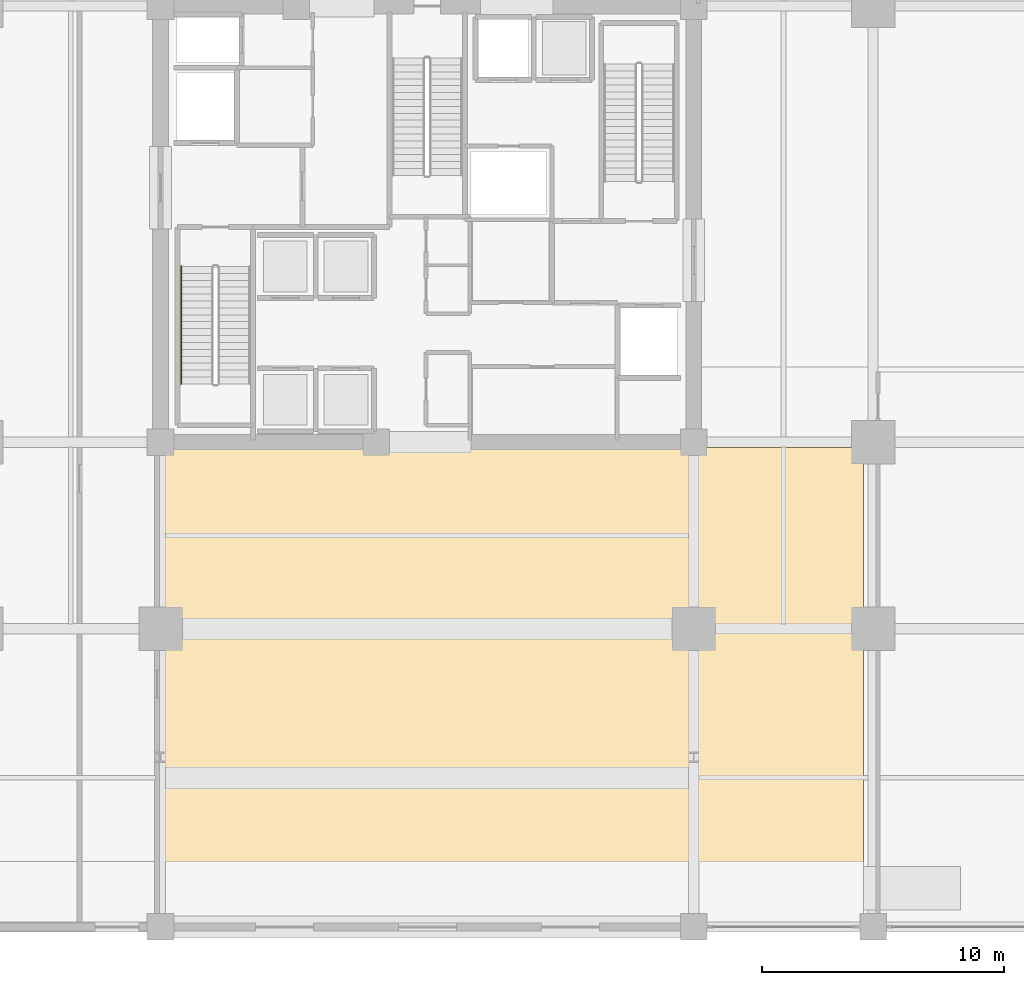
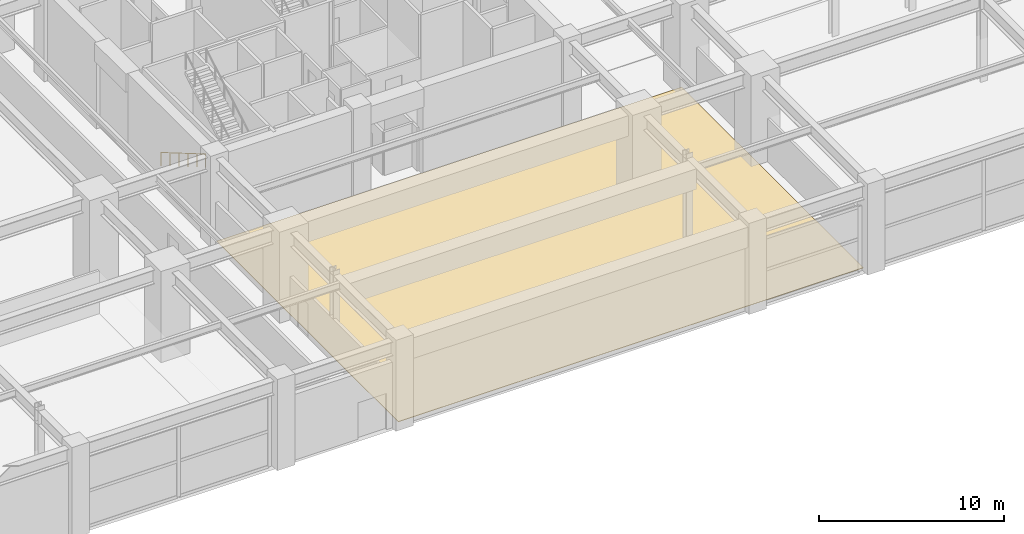
# One storey, part 36 of 41: 1 covering, 1 railing.
"""IFC4 building model written with IfcOpenShell, lengths in metres."""

from ifc_helpers import new_model, si_unit, direction, frame, origin, origin_2d, place, context, subcontext, project, spatial, polyline, circle, outline, extrude, material, layer, layer_set, type_object, element, save


model = new_model("IFC4")

# Units and contexts
model_context = context("Model", 3, precision=1e-05, world=origin(), true_north=direction((0.0, 1.0)))
body_context = subcontext(model_context, "Body", "Model", "MODEL_VIEW")
ifc_project = project(units=[si_unit("LENGTHUNIT", "METRE"), si_unit("AREAUNIT", "SQUARE_METRE"), si_unit("VOLUMEUNIT", "CUBIC_METRE"), si_unit("PLANEANGLEUNIT", "RADIAN"), si_unit("MASSUNIT", "GRAM", prefix="KILO")], contexts=[model_context])

# Site, building, storey
site_placement = place(None, origin())
site = spatial("IfcSite", under=ifc_project, at=site_placement, CompositionType="ELEMENT")
building_placement = place(site_placement, origin())
building = spatial("IfcBuilding", under=site, at=building_placement, Name="Kovane Verandah Tower", CompositionType="ELEMENT")
storey_placement = place(building_placement, origin())
storey = spatial("IfcBuildingStorey", under=building, at=storey_placement, Name="L00", CompositionType="ELEMENT", Elevation=0.0)

# Covering
ifc_material_1 = material(Name="Polished Terrazzo and Raised-Access Carpet Tile Finish", Category="concrete")
ifc_layer = layer(ifc_material_1, 0.030029296875)
ifc_layer_set = layer_set([ifc_layer], Name="Polished Terrazzo and Raised-Access Carpet Tile Finish")
covering_type = type_object("IfcCoveringType", Name="CV-FLOR-30", PredefinedType="FLOORING", material=ifc_layer_set)
covering_placement = place(storey_placement, origin())
element("IfcCovering", 1, at=covering_placement, inside=storey, type_object=covering_type, Name="L00 Main Entrance Concourse Floor Finish", PredefinedType="FLOORING", context=body_context, shape_type="SweptSolid", body=[
    extrude(outline(polyline([(29.0, -1.35009765625), (58.0, -1.35009765625), (58.0, 18.280029296875), (29.0, 18.280029296875), (29.0, -1.35009765625)])), origin(), (0.0, 0.0, 1.0), 0.030029296875),
])

# Railing
ifc_material_2 = material(Name="Brushed Stainless Steel Handrail", Category="steel")
railing_type = type_object("IfcRailingType", Name="RL-HAND-920", PredefinedType="HANDRAIL", material=ifc_material_2)
railing_placement = place(storey_placement, frame((29.85009765625, 25.75, 0.166748046875)))
element("IfcRailing", 2, at=railing_placement, inside=storey, type_object=railing_type, Name="L00 ST-01 stair handrail 1", PredefinedType="HANDRAIL", context=body_context, shape_type="SweptSolid", body=[
    extrude(circle(Radius=0.02392578125, at=origin_2d()), frame((0.0, 0.0, 0.8759765625), z_axis=(0.0, -0.863234098208, 0.504803815052), x_axis=(1.0, 0.0, 0.0)), (0.0, 0.0, 1.0), 5.612548828125),
    extrude(circle(Radius=0.02099609375, at=origin_2d()), origin(), (0.0, 0.0, 1.0), 0.851806640625),
    extrude(circle(Radius=0.02099609375, at=origin_2d()), frame((0.0, -0.968994140625, 0.566650390625)), (0.0, 0.0, 1.0), 0.851806640625),
    extrude(circle(Radius=0.02099609375, at=origin_2d()), frame((0.0, -1.93798828125, 1.13330078125)), (0.0, 0.0, 1.0), 0.851806640625),
    extrude(circle(Radius=0.02099609375, at=origin_2d()), frame((0.0, -2.906982421875, 1.699951171875)), (0.0, 0.0, 1.0), 0.851806640625),
    extrude(circle(Radius=0.02099609375, at=origin_2d()), frame((0.0, -3.8759765625, 2.2666015625)), (0.0, 0.0, 1.0), 0.851806640625),
    extrude(circle(Radius=0.02099609375, at=origin_2d()), frame((0.0, -4.844970703125, 2.833251953125)), (0.0, 0.0, 1.0), 0.851806640625),
])

save(model, "model.ifc")
